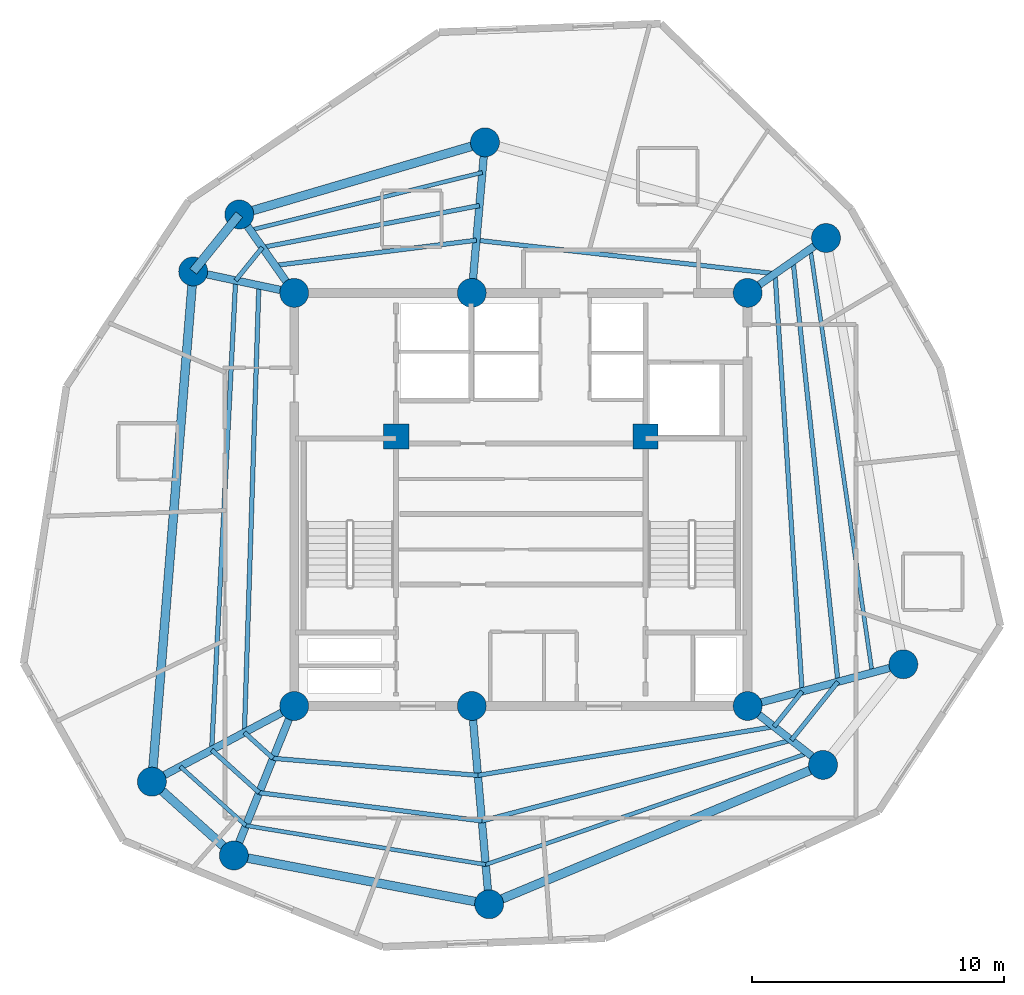
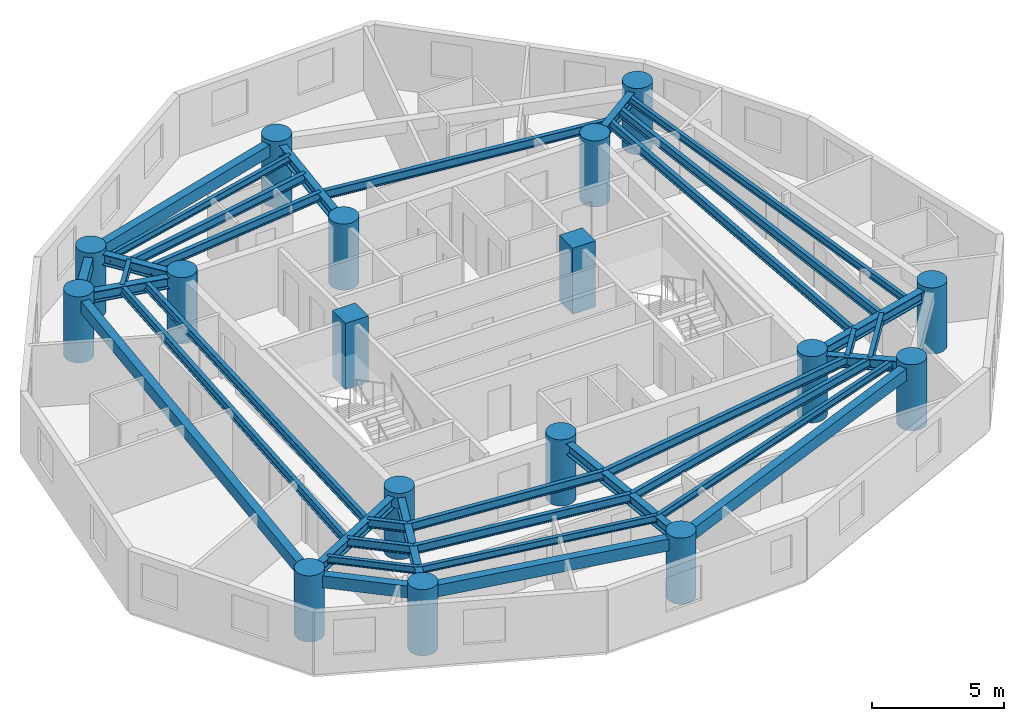
# One storey, part 1 of 7: 36 beams, 17 columns.
"""IFC4 building model written with IfcOpenShell, lengths in metres."""

from ifc_helpers import new_model, si_unit, direction, frame, origin, origin_with_axes, origin_2d, place, context, subcontext, project, spatial, rectangle, circle, i_section, extrude, source, transform, mapped, material, material_profile, profile_set, type_object, element, save


model = new_model("IFC4")

# Units and contexts
model_context = context("Model", 3, precision=1e-05, world=origin(), true_north=direction((0.0, 1.0)))
body_context = subcontext(model_context, "Body", "Model", "MODEL_VIEW")
ifc_project = project(units=[si_unit("LENGTHUNIT", "METRE"), si_unit("AREAUNIT", "SQUARE_METRE"), si_unit("VOLUMEUNIT", "CUBIC_METRE"), si_unit("PLANEANGLEUNIT", "RADIAN"), si_unit("MASSUNIT", "GRAM", prefix="KILO")], contexts=[model_context])

# Site, building, storey
site_placement = place(None, origin())
site = spatial("IfcSite", under=ifc_project, at=site_placement, CompositionType="ELEMENT")
building_placement = place(site_placement, origin())
building = spatial("IfcBuilding", under=site, at=building_placement, Name="Karkom Vertical University and Central Library", CompositionType="ELEMENT")
storey_placement = place(building_placement, frame((0.0, 0.0, 259.60009765625)))
storey = spatial("IfcBuildingStorey", under=building, at=storey_placement, Name="L77", CompositionType="ELEMENT", Elevation=259.60009765625)

# Columns
ifc_material_1 = material(Name="Concrete C50/60", Category="concrete")
ifc_material_profile_1 = material_profile(ifc_material_1, rectangle(XDim=1.0, YDim=1.0, at=origin_2d()), Name="RC-1000x1000")
ifc_profile_set_1 = profile_set([ifc_material_profile_1], Name="Concrete C50/60")
column_type_1 = type_object("IfcColumnType", Name="STR-COL-C-CC2", PredefinedType="COLUMN", material=ifc_profile_set_1)
shared_shape_1 = source(origin_with_axes(), body_context, "Body", "SweptSolid", [
    extrude(rectangle(XDim=1.0, YDim=1.0, at=origin_2d()), origin(), (0.0, 0.0, 1.0), 3.0498046875),
])
for number, where, z_axis, x_axis, name in (
    (1, (23.550048828125, 29.0, 0.0), (0.0, 0.0, 1.0), (1.0, 0.0, 0.0), "Level 77 Core Node Column CC-1"),
    (2, (33.449951171875, 29.0, 0.0), (0.0, 0.0, 1.0), (1.0, 0.0, 0.0), "Level 77 Core Node Column CC-2"),
):
    element("IfcColumn", number, at=place(storey_placement, frame(where, z_axis=z_axis, x_axis=x_axis)), inside=storey, type_object=column_type_1, Name=name, PredefinedType="COLUMN", context=body_context, shape_type="MappedRepresentation", body=[
        mapped(shared_shape_1, transform((0.0, 0.0, 0.0), scale=1.0)),
    ])
ifc_material_2 = material(Name="Concrete C45/55", Category="concrete")
ifc_material_profile_2 = material_profile(ifc_material_2, circle(Radius=0.574951171875, at=origin_2d()), Name="CFT-D1150")
ifc_profile_set_2 = profile_set([ifc_material_profile_2], Name="Concrete C45/55")
column_type_2 = type_object("IfcColumnType", Name="STR-COL-C-SC5", PredefinedType="COLUMN", material=ifc_profile_set_2)
shared_shape_2 = source(origin_with_axes(), body_context, "Body", "SweptSolid", [
    extrude(circle(Radius=0.574951171875, at=origin_2d()), origin(), (0.0, 0.0, 1.0), 3.0498046875),
])
for number, where, z_axis, x_axis, name in (
    (3, (19.5, 18.300048828125, 0.0), (0.0, 0.0, 1.0), (1.0, 0.0, 0.0), "Level 77 Spine Mega-Column SC-1"),
    (4, (26.550048828125, 18.300048828125, 0.0), (0.0, 0.0, 1.0), (1.0, 0.0, 0.0), "Level 77 Spine Mega-Column SC-2"),
    (5, (37.5, 18.300048828125, 0.0), (0.0, 0.0, 1.0), (1.0, 0.0, 0.0), "Level 77 Spine Mega-Column SC-3"),
    (6, (19.5, 34.699951171875, 0.0), (0.0, 0.0, 1.0), (1.0, 0.0, 0.0), "Level 77 Spine Mega-Column SC-4"),
    (7, (26.550048828125, 34.699951171875, 0.0), (0.0, 0.0, 1.0), (1.0, 0.0, 0.0), "Level 77 Spine Mega-Column SC-5"),
    (8, (37.5, 34.699951171875, 0.0), (0.0, 0.0, 1.0), (1.0, 0.0, 0.0), "Level 77 Spine Mega-Column SC-6"),
    (9, (43.681884765625, 19.9560546875, 0.0), (0.0, 0.0, 1.0), (1.0, 0.0, 0.0), "Level 77 Perimeter Mega-Column Z4-PC1"),
    (10, (40.613037109375, 36.8798828125, 0.0), (0.0, 0.0, 1.0), (1.0, 0.0, 0.0), "Level 77 Perimeter Mega-Column Z4-PC2"),
    (11, (27.072998046875, 40.677001953125, 0.0), (0.0, 0.0, 1.0), (1.0, 0.0, 0.0), "Level 77 Perimeter Mega-Column Z4-PC3"),
    (12, (17.320068359375, 37.81298828125, 0.0), (0.0, 0.0, 1.0), (1.0, 0.0, 0.0), "Level 77 Perimeter Mega-Column Z4-PC4"),
    (13, (15.489990234375, 35.552001953125, 0.0), (0.0, 0.0, 1.0), (1.0, 0.0, 0.0), "Level 77 Perimeter Mega-Column Z4-PC5"),
    (14, (13.84912109375, 15.294921875, 0.0), (0.0, 0.0, 1.0), (1.0, 0.0, 0.0), "Level 77 Perimeter Mega-Column Z4-PC6"),
    (15, (17.10302734375, 12.365966796875, 0.0), (0.0, 0.0, 1.0), (1.0, 0.0, 0.0), "Level 77 Perimeter Mega-Column Z4-PC7"),
    (16, (27.239013671875, 10.429931640625, 0.0), (0.0, 0.0, 1.0), (1.0, 0.0, 0.0), "Level 77 Perimeter Mega-Column Z4-PC8"),
    (17, (40.493896484375, 15.9599609375, 0.0), (0.0, 0.0, 1.0), (1.0, 0.0, 0.0), "Level 77 Perimeter Mega-Column Z4-PC9"),
):
    element("IfcColumn", number, at=place(storey_placement, frame(where, z_axis=z_axis, x_axis=x_axis)), inside=storey, type_object=column_type_2, Name=name, PredefinedType="COLUMN", context=body_context, shape_type="MappedRepresentation", body=[
        mapped(shared_shape_2, transform((0.0, 0.0, 0.0), scale=1.0)),
    ])

# Beams
ifc_material_3 = material(Name="Precast concrete C45/55", Category="concrete")
ifc_material_profile_3 = material_profile(ifc_material_3, rectangle(XDim=0.35009765625, YDim=0.550048828125, at=origin_2d()), Name="SPB-350x550")
ifc_profile_set_3 = profile_set([ifc_material_profile_3], Name="Precast concrete C45/55")
beam_type_1 = type_object("IfcBeamType", Name="STR-BM-SP-2", PredefinedType="SPANDREL", material=ifc_profile_set_3)
shared_shape_3 = source(origin_with_axes(), body_context, "Body", "SweptSolid", [
    extrude(rectangle(XDim=0.35009765625, YDim=0.550048828125, at=origin_2d()), origin(), (0.0, 0.0, 1.0), 10.164794921875),
])
beam_1_placement = place(storey_placement, frame((27.072998046875, 40.677001953125, 2.574951171875), z_axis=(-0.959485124536, -0.281759286971, 0.0), x_axis=(0.281759286971, -0.959485124536, 0.0)))
element("IfcBeam", 18, at=beam_1_placement, inside=storey, type_object=beam_type_1, Name="Level 77 Perimeter Spandrel Beam 03", PredefinedType="SPANDREL", context=body_context, shape_type="MappedRepresentation", body=[
    mapped(shared_shape_3, transform((0.0, 0.0, 0.0), scale=1.0)),
])
shared_shape_4 = source(origin_with_axes(), body_context, "Body", "SweptSolid", [
    extrude(rectangle(XDim=0.35009765625, YDim=0.550048828125, at=origin_2d()), origin(), (0.0, 0.0, 1.0), 2.908935546875),
])
beam_2_placement = place(storey_placement, frame((17.320068359375, 37.81298828125, 2.574951171875), z_axis=(-0.629147523747, -0.777285914811, 0.0), x_axis=(0.777285914811, -0.629147523747, 0.0)))
element("IfcBeam", 19, at=beam_2_placement, inside=storey, type_object=beam_type_1, Name="Level 77 Perimeter Spandrel Beam 04", PredefinedType="SPANDREL", context=body_context, shape_type="MappedRepresentation", body=[
    mapped(shared_shape_4, transform((0.0, 0.0, 0.0), scale=1.0)),
])
shared_shape_5 = source(origin_with_axes(), body_context, "Body", "SweptSolid", [
    extrude(rectangle(XDim=0.35009765625, YDim=0.550048828125, at=origin_2d()), origin(), (0.0, 0.0, 1.0), 20.323486328125),
])
beam_3_placement = place(storey_placement, frame((15.489990234375, 35.552001953125, 2.574951171875), z_axis=(-0.080737811681, -0.996735373991, 0.0), x_axis=(0.996735373991, -0.080737811681, 0.0)))
element("IfcBeam", 20, at=beam_3_placement, inside=storey, type_object=beam_type_1, Name="Level 77 Perimeter Spandrel Beam 05", PredefinedType="SPANDREL", context=body_context, shape_type="MappedRepresentation", body=[
    mapped(shared_shape_5, transform((0.0, 0.0, 0.0), scale=1.0)),
])
shared_shape_6 = source(origin_with_axes(), body_context, "Body", "SweptSolid", [
    extrude(rectangle(XDim=0.35009765625, YDim=0.550048828125, at=origin_2d()), origin(), (0.0, 0.0, 1.0), 4.3779296875),
])
beam_4_placement = place(storey_placement, frame((13.84912109375, 15.294921875, 2.574951171875), z_axis=(0.743244232405, -0.669020187287, 0.0), x_axis=(0.669020187287, 0.743244232405, 0.0)))
element("IfcBeam", 21, at=beam_4_placement, inside=storey, type_object=beam_type_1, Name="Level 77 Perimeter Spandrel Beam 06", PredefinedType="SPANDREL", context=body_context, shape_type="MappedRepresentation", body=[
    mapped(shared_shape_6, transform((0.0, 0.0, 0.0), scale=1.0)),
])
shared_shape_7 = source(origin_with_axes(), body_context, "Body", "SweptSolid", [
    extrude(rectangle(XDim=0.35009765625, YDim=0.550048828125, at=origin_2d()), origin(), (0.0, 0.0, 1.0), 10.3193359375),
])
beam_5_placement = place(storey_placement, frame((17.10302734375, 12.365966796875, 2.574951171875), z_axis=(0.982242767385, -0.187614354249, 0.0), x_axis=(0.187614354249, 0.982242767385, 0.0)))
element("IfcBeam", 22, at=beam_5_placement, inside=storey, type_object=beam_type_1, Name="Level 77 Perimeter Spandrel Beam 07", PredefinedType="SPANDREL", context=body_context, shape_type="MappedRepresentation", body=[
    mapped(shared_shape_7, transform((0.0, 0.0, 0.0), scale=1.0)),
])
shared_shape_8 = source(origin_with_axes(), body_context, "Body", "SweptSolid", [
    extrude(rectangle(XDim=0.35009765625, YDim=0.550048828125, at=origin_2d()), origin(), (0.0, 0.0, 1.0), 14.3623046875),
])
beam_6_placement = place(storey_placement, frame((27.239013671875, 10.429931640625, 2.574951171875), z_axis=(0.922899796194, 0.385040213725, 0.0), x_axis=(-0.385040213725, 0.922899796194, 0.0)))
element("IfcBeam", 23, at=beam_6_placement, inside=storey, type_object=beam_type_1, Name="Level 77 Perimeter Spandrel Beam 08", PredefinedType="SPANDREL", context=body_context, shape_type="MappedRepresentation", body=[
    mapped(shared_shape_8, transform((0.0, 0.0, 0.0), scale=1.0)),
])
ifc_material_4 = material(Name="Steel S355", Category="steel")
ifc_material_profile_4 = material_profile(ifc_material_4, i_section(OverallWidth=0.179931640625, OverallDepth=0.39990234375, WebThickness=0.008544921875, FlangeThickness=0.013427734375, FilletRadius=0.02099609375, at=origin_2d()), Name="IPE 400")
ifc_profile_set_4 = profile_set([ifc_material_profile_4], Name="Steel S355")
beam_type_2 = type_object("IfcBeamType", Name="STR-BM-SB-IPE400", PredefinedType="BEAM", material=ifc_profile_set_4)
shared_shape_9 = source(origin_with_axes(), body_context, "Body", "SweptSolid", [
    extrude(i_section(OverallWidth=0.179931640625, OverallDepth=0.39990234375, WebThickness=0.008544921875, FlangeThickness=0.013427734375, FilletRadius=0.02099609375, at=origin_2d()), origin(), (0.0, 0.0, 1.0), 16.617919921875),
])
beam_7_placement = place(storey_placement, frame((39.663818359375, 18.879638671875, 2.64990234375), z_axis=(-0.064641848008, 0.997908528617, 0.0), x_axis=(-0.997908528617, -0.064641848008, 0.0)))
element("IfcBeam", 24, at=beam_7_placement, inside=storey, type_object=beam_type_2, Name="Level 77 Secondary Composite Floor Beam 1.01", PredefinedType="BEAM", context=body_context, shape_type="MappedRepresentation", body=[
    mapped(shared_shape_9, transform((0.0, 0.0, 0.0), scale=1.0)),
])
shared_shape_10 = source(origin_with_axes(), body_context, "Body", "SweptSolid", [
    extrude(i_section(OverallWidth=0.179931640625, OverallDepth=0.39990234375, WebThickness=0.008544921875, FlangeThickness=0.013427734375, FilletRadius=0.02099609375, at=origin_2d()), origin(), (0.0, 0.0, 1.0), 11.9306640625),
])
beam_8_placement = place(storey_placement, frame((38.589599609375, 35.462890625, 2.64990234375), z_axis=(-0.993775454886, 0.11140172919, 0.0), x_axis=(-0.11140172919, -0.993775454886, 0.0)))
element("IfcBeam", 25, at=beam_8_placement, inside=storey, type_object=beam_type_2, Name="Level 77 Secondary Composite Floor Beam 1.02", PredefinedType="BEAM", context=body_context, shape_type="MappedRepresentation", body=[
    mapped(shared_shape_10, transform((0.0, 0.0, 0.0), scale=1.0)),
])
shared_shape_11 = source(origin_with_axes(), body_context, "Body", "SweptSolid", [
    extrude(i_section(OverallWidth=0.179931640625, OverallDepth=0.39990234375, WebThickness=0.008544921875, FlangeThickness=0.013427734375, FilletRadius=0.02099609375, at=origin_2d()), origin(), (0.0, 0.0, 1.0), 8.05859375),
])
beam_9_placement = place(storey_placement, frame((26.733154296875, 36.7919921875, 2.64990234375), z_axis=(-0.99223306826, -0.124392677646, 0.0), x_axis=(0.124392677646, -0.99223306826, 0.0)))
element("IfcBeam", 26, at=beam_9_placement, inside=storey, type_object=beam_type_2, Name="Level 77 Secondary Composite Floor Beam 1.03", PredefinedType="BEAM", context=body_context, shape_type="MappedRepresentation", body=[
    mapped(shared_shape_11, transform((0.0, 0.0, 0.0), scale=1.0)),
])
shared_shape_12 = source(origin_with_axes(), body_context, "Body", "SweptSolid", [
    extrude(i_section(OverallWidth=0.179931640625, OverallDepth=0.39990234375, WebThickness=0.008544921875, FlangeThickness=0.013427734375, FilletRadius=0.02099609375, at=origin_2d()), origin(), (0.0, 0.0, 1.0), 17.75927734375),
])
beam_10_placement = place(storey_placement, frame((18.096435546875, 34.998291015625, 2.64990234375), z_axis=(-0.032333437334, -0.999477137723, 0.0), x_axis=(0.999477137723, -0.032333437334, 0.0)))
element("IfcBeam", 27, at=beam_10_placement, inside=storey, type_object=beam_type_2, Name="Level 77 Secondary Composite Floor Beam 1.05", PredefinedType="BEAM", context=body_context, shape_type="MappedRepresentation", body=[
    mapped(shared_shape_12, transform((0.0, 0.0, 0.0), scale=1.0)),
])
shared_shape_13 = source(origin_with_axes(), body_context, "Body", "SweptSolid", [
    extrude(i_section(OverallWidth=0.179931640625, OverallDepth=0.39990234375, WebThickness=0.008544921875, FlangeThickness=0.013427734375, FilletRadius=0.02099609375, at=origin_2d()), origin(), (0.0, 0.0, 1.0), 1.5322265625),
])
beam_11_placement = place(storey_placement, frame((17.522216796875, 17.248291015625, 2.64990234375), z_axis=(0.743183211059, -0.669087972392, 0.0), x_axis=(0.669087972392, 0.743183211059, 0.0)))
element("IfcBeam", 28, at=beam_11_placement, inside=storey, type_object=beam_type_2, Name="Level 77 Secondary Composite Floor Beam 1.06", PredefinedType="BEAM", context=body_context, shape_type="MappedRepresentation", body=[
    mapped(shared_shape_13, transform((0.0, 0.0, 0.0), scale=1.0)),
])
shared_shape_14 = source(origin_with_axes(), body_context, "Body", "SweptSolid", [
    extrude(i_section(OverallWidth=0.179931640625, OverallDepth=0.39990234375, WebThickness=0.008544921875, FlangeThickness=0.013427734375, FilletRadius=0.02099609375, at=origin_2d()), origin(), (0.0, 0.0, 1.0), 8.15869140625),
])
beam_12_placement = place(storey_placement, frame((18.660888671875, 16.22314453125, 2.64990234375), z_axis=(0.996543694183, -0.083070244882, 0.0), x_axis=(0.083070244882, 0.996543694183, 0.0)))
element("IfcBeam", 29, at=beam_12_placement, inside=storey, type_object=beam_type_2, Name="Level 77 Secondary Composite Floor Beam 1.07", PredefinedType="BEAM", context=body_context, shape_type="MappedRepresentation", body=[
    mapped(shared_shape_14, transform((0.0, 0.0, 0.0), scale=1.0)),
])
shared_shape_15 = source(origin_with_axes(), body_context, "Body", "SweptSolid", [
    extrude(i_section(OverallWidth=0.179931640625, OverallDepth=0.39990234375, WebThickness=0.008544921875, FlangeThickness=0.013427734375, FilletRadius=0.02099609375, at=origin_2d()), origin(), (0.0, 0.0, 1.0), 11.914794921875),
])
beam_13_placement = place(storey_placement, frame((26.791259765625, 15.54541015625, 2.64990234375), z_axis=(0.986717073469, 0.162448197663, 0.0), x_axis=(-0.162448197663, 0.986717073469, 0.0)))
element("IfcBeam", 30, at=beam_13_placement, inside=storey, type_object=beam_type_2, Name="Level 77 Secondary Composite Floor Beam 1.08", PredefinedType="BEAM", context=body_context, shape_type="MappedRepresentation", body=[
    mapped(shared_shape_15, transform((0.0, 0.0, 0.0), scale=1.0)),
])
shared_shape_16 = source(origin_with_axes(), body_context, "Body", "SweptSolid", [
    extrude(i_section(OverallWidth=0.179931640625, OverallDepth=0.39990234375, WebThickness=0.008544921875, FlangeThickness=0.013427734375, FilletRadius=0.02099609375, at=origin_2d()), origin(), (0.0, 0.0, 1.0), 1.789306640625),
])
beam_14_placement = place(storey_placement, frame((38.5478515625, 17.48095703125, 2.64990234375), z_axis=(0.623679519349, 0.781680150154, 0.0), x_axis=(-0.781680150154, 0.623679519349, 0.0)))
element("IfcBeam", 31, at=beam_14_placement, inside=storey, type_object=beam_type_2, Name="Level 77 Secondary Composite Floor Beam 1.09", PredefinedType="BEAM", context=body_context, shape_type="MappedRepresentation", body=[
    mapped(shared_shape_16, transform((0.0, 0.0, 0.0), scale=1.0)),
])
shared_shape_17 = source(origin_with_axes(), body_context, "Body", "SweptSolid", [
    extrude(i_section(OverallWidth=0.179931640625, OverallDepth=0.39990234375, WebThickness=0.008544921875, FlangeThickness=0.013427734375, FilletRadius=0.02099609375, at=origin_2d()), origin(), (0.0, 0.0, 1.0), 16.79833984375),
])
beam_15_placement = place(storey_placement, frame((41.085693359375, 19.260498046875, 2.64990234375), z_axis=(-0.105978377704, 0.994368434464, 0.0), x_axis=(-0.994368434464, -0.105978377704, 0.0)))
element("IfcBeam", 32, at=beam_15_placement, inside=storey, type_object=beam_type_2, Name="Level 77 Secondary Composite Floor Beam 2.01", PredefinedType="BEAM", context=body_context, shape_type="MappedRepresentation", body=[
    mapped(shared_shape_17, transform((0.0, 0.0, 0.0), scale=1.0)),
])
shared_shape_18 = source(origin_with_axes(), body_context, "Body", "SweptSolid", [
    extrude(i_section(OverallWidth=0.179931640625, OverallDepth=0.39990234375, WebThickness=0.008544921875, FlangeThickness=0.013427734375, FilletRadius=0.02099609375, at=origin_2d()), origin(), (0.0, 0.0, 1.0), 8.7763671875),
])
beam_16_placement = place(storey_placement, frame((26.853271484375, 38.166748046875, 2.64990234375), z_axis=(-0.981924209256, -0.189274528862, 0.0), x_axis=(0.189274528862, -0.981924209256, 0.0)))
element("IfcBeam", 33, at=beam_16_placement, inside=storey, type_object=beam_type_2, Name="Level 77 Secondary Composite Floor Beam 2.03", PredefinedType="BEAM", context=body_context, shape_type="MappedRepresentation", body=[
    mapped(shared_shape_18, transform((0.0, 0.0, 0.0), scale=1.0)),
])
shared_shape_19 = source(origin_with_axes(), body_context, "Body", "SweptSolid", [
    extrude(i_section(OverallWidth=0.179931640625, OverallDepth=0.39990234375, WebThickness=0.008544921875, FlangeThickness=0.013427734375, FilletRadius=0.02099609375, at=origin_2d()), origin(), (0.0, 0.0, 1.0), 1.68701171875),
])
beam_17_placement = place(storey_placement, frame((18.235595703125, 36.505615234375, 2.64990234375), z_axis=(-0.629044191861, -0.777369541908, 0.0), x_axis=(0.777369541908, -0.629044191861, 0.0)))
element("IfcBeam", 34, at=beam_17_placement, inside=storey, type_object=beam_type_2, Name="Level 77 Secondary Composite Floor Beam 2.04", PredefinedType="BEAM", context=body_context, shape_type="MappedRepresentation", body=[
    mapped(shared_shape_19, transform((0.0, 0.0, 0.0), scale=1.0)),
])
shared_shape_20 = source(origin_with_axes(), body_context, "Body", "SweptSolid", [
    extrude(i_section(OverallWidth=0.179931640625, OverallDepth=0.39990234375, WebThickness=0.008544921875, FlangeThickness=0.013427734375, FilletRadius=0.02099609375, at=origin_2d()), origin(), (0.0, 0.0, 1.0), 18.661376953125),
])
beam_18_placement = place(storey_placement, frame((17.17431640625, 35.194091796875, 2.64990234375), z_axis=(-0.051009656211, -0.998698160093, 0.0), x_axis=(0.998698160093, -0.051009656211, 0.0)))
element("IfcBeam", 35, at=beam_18_placement, inside=storey, type_object=beam_type_2, Name="Level 77 Secondary Composite Floor Beam 2.05", PredefinedType="BEAM", context=body_context, shape_type="MappedRepresentation", body=[
    mapped(shared_shape_20, transform((0.0, 0.0, 0.0), scale=1.0)),
])
shared_shape_21 = source(origin_with_axes(), body_context, "Body", "SweptSolid", [
    extrude(i_section(OverallWidth=0.179931640625, OverallDepth=0.39990234375, WebThickness=0.008544921875, FlangeThickness=0.013427734375, FilletRadius=0.02099609375, at=origin_2d()), origin(), (0.0, 0.0, 1.0), 2.5390625),
])
beam_19_placement = place(storey_placement, frame((16.222412109375, 16.55712890625, 2.64990234375), z_axis=(0.743246334517, -0.669017851949, 0.0), x_axis=(0.669017851949, 0.743246334517, 0.0)))
element("IfcBeam", 36, at=beam_19_placement, inside=storey, type_object=beam_type_2, Name="Level 77 Secondary Composite Floor Beam 2.06", PredefinedType="BEAM", context=body_context, shape_type="MappedRepresentation", body=[
    mapped(shared_shape_21, transform((0.0, 0.0, 0.0), scale=1.0)),
])
shared_shape_22 = source(origin_with_axes(), body_context, "Body", "SweptSolid", [
    extrude(i_section(OverallWidth=0.179931640625, OverallDepth=0.39990234375, WebThickness=0.008544921875, FlangeThickness=0.013427734375, FilletRadius=0.02099609375, at=origin_2d()), origin(), (0.0, 0.0, 1.0), 8.9111328125),
])
beam_20_placement = place(storey_placement, frame((18.109619140625, 14.8583984375, 2.64990234375), z_axis=(0.992026771403, -0.126027317751, 0.0), x_axis=(0.126027317751, 0.992026771403, 0.0)))
element("IfcBeam", 37, at=beam_20_placement, inside=storey, type_object=beam_type_2, Name="Level 77 Secondary Composite Floor Beam 2.07", PredefinedType="BEAM", context=body_context, shape_type="MappedRepresentation", body=[
    mapped(shared_shape_22, transform((0.0, 0.0, 0.0), scale=1.0)),
])
shared_shape_23 = source(origin_with_axes(), body_context, "Body", "SweptSolid", [
    extrude(i_section(OverallWidth=0.179931640625, OverallDepth=0.39990234375, WebThickness=0.008544921875, FlangeThickness=0.013427734375, FilletRadius=0.02099609375, at=origin_2d()), origin(), (0.0, 0.0, 1.0), 12.69873046875),
])
beam_21_placement = place(storey_placement, frame((26.94970703125, 13.7353515625, 2.64990234375), z_axis=(0.967573974729, 0.252587813301, 0.0), x_axis=(-0.252587813301, 0.967573974729, 0.0)))
element("IfcBeam", 38, at=beam_21_placement, inside=storey, type_object=beam_type_2, Name="Level 77 Secondary Composite Floor Beam 2.08", PredefinedType="BEAM", context=body_context, shape_type="MappedRepresentation", body=[
    mapped(shared_shape_23, transform((0.0, 0.0, 0.0), scale=1.0)),
])
shared_shape_24 = source(origin_with_axes(), body_context, "Body", "SweptSolid", [
    extrude(i_section(OverallWidth=0.179931640625, OverallDepth=0.39990234375, WebThickness=0.008544921875, FlangeThickness=0.013427734375, FilletRadius=0.02099609375, at=origin_2d()), origin(), (0.0, 0.0, 1.0), 2.96484375),
])
beam_22_placement = place(storey_placement, frame((39.236572265625, 16.94287109375, 2.64990234375), z_axis=(0.623670236397, 0.781687556657, 0.0), x_axis=(-0.781687556657, 0.623670236397, 0.0)))
element("IfcBeam", 39, at=beam_22_placement, inside=storey, type_object=beam_type_2, Name="Level 77 Secondary Composite Floor Beam 2.09", PredefinedType="BEAM", context=body_context, shape_type="MappedRepresentation", body=[
    mapped(shared_shape_24, transform((0.0, 0.0, 0.0), scale=1.0)),
])
ifc_material_profile_5 = material_profile(ifc_material_4, i_section(OverallWidth=0.159912109375, OverallDepth=0.330078125, WebThickness=0.007568359375, FlangeThickness=0.011474609375, FilletRadius=0.01806640625, at=origin_2d()), Name="IPE 330")
ifc_profile_set_5 = profile_set([ifc_material_profile_5], Name="Steel S355")
beam_type_3 = type_object("IfcBeamType", Name="STR-BM-SB-IPE330", PredefinedType="BEAM", material=ifc_profile_set_5)
shared_shape_25 = source(origin_with_axes(), body_context, "Body", "SweptSolid", [
    extrude(i_section(OverallWidth=0.159912109375, OverallDepth=0.330078125, WebThickness=0.007568359375, FlangeThickness=0.011474609375, FilletRadius=0.01806640625, at=origin_2d()), origin(), (0.0, 0.0, 1.0), 16.99755859375),
])
beam_23_placement = place(storey_placement, frame((42.445556640625, 19.624755859375, 2.684814453125), z_axis=(-0.144436985275, 0.98951400055, 0.0), x_axis=(-0.98951400055, -0.144436985275, 0.0)))
element("IfcBeam", 40, at=beam_23_placement, inside=storey, type_object=beam_type_3, Name="Level 77 Secondary Composite Floor Beam 3.01", PredefinedType="BEAM", context=body_context, shape_type="MappedRepresentation", body=[
    mapped(shared_shape_25, transform((0.0, 0.0, 0.0), scale=1.0)),
])
shared_shape_26 = source(origin_with_axes(), body_context, "Body", "SweptSolid", [
    extrude(i_section(OverallWidth=0.159912109375, OverallDepth=0.330078125, WebThickness=0.007568359375, FlangeThickness=0.011474609375, FilletRadius=0.01806640625, at=origin_2d()), origin(), (0.0, 0.0, 1.0), 9.4931640625),
])
beam_24_placement = place(storey_placement, frame((26.968505859375, 39.481689453125, 2.684814453125), z_axis=(-0.970435275293, -0.241361505767, 0.0), x_axis=(0.241361505767, -0.970435275293, 0.0)))
element("IfcBeam", 41, at=beam_24_placement, inside=storey, type_object=beam_type_3, Name="Level 77 Secondary Composite Floor Beam 3.03", PredefinedType="BEAM", context=body_context, shape_type="MappedRepresentation", body=[
    mapped(shared_shape_26, transform((0.0, 0.0, 0.0), scale=1.0)),
])
shared_shape_27 = source(origin_with_axes(), body_context, "Body", "SweptSolid", [
    extrude(i_section(OverallWidth=0.159912109375, OverallDepth=0.330078125, WebThickness=0.007568359375, FlangeThickness=0.011474609375, FilletRadius=0.01806640625, at=origin_2d()), origin(), (0.0, 0.0, 1.0), 3.50244140625),
])
beam_25_placement = place(storey_placement, frame((14.979248046875, 15.89599609375, 2.684814453125), z_axis=(0.743249087562, -0.669014793437, 0.0), x_axis=(0.669014793437, 0.743249087562, 0.0)))
element("IfcBeam", 42, at=beam_25_placement, inside=storey, type_object=beam_type_3, Name="Level 77 Secondary Composite Floor Beam 3.06", PredefinedType="BEAM", context=body_context, shape_type="MappedRepresentation", body=[
    mapped(shared_shape_27, transform((0.0, 0.0, 0.0), scale=1.0)),
])
shared_shape_28 = source(origin_with_axes(), body_context, "Body", "SweptSolid", [
    extrude(i_section(OverallWidth=0.159912109375, OverallDepth=0.330078125, WebThickness=0.007568359375, FlangeThickness=0.011474609375, FilletRadius=0.01806640625, at=origin_2d()), origin(), (0.0, 0.0, 1.0), 9.64404296875),
])
beam_26_placement = place(storey_placement, frame((17.58251953125, 13.552734375, 2.684814453125), z_axis=(0.987019497924, -0.160600469231, 0.0), x_axis=(0.160600469231, 0.987019497924, 0.0)))
element("IfcBeam", 43, at=beam_26_placement, inside=storey, type_object=beam_type_3, Name="Level 77 Secondary Composite Floor Beam 3.07", PredefinedType="BEAM", context=body_context, shape_type="MappedRepresentation", body=[
    mapped(shared_shape_28, transform((0.0, 0.0, 0.0), scale=1.0)),
])
shared_shape_29 = source(origin_with_axes(), body_context, "Body", "SweptSolid", [
    extrude(i_section(OverallWidth=0.159912109375, OverallDepth=0.330078125, WebThickness=0.007568359375, FlangeThickness=0.011474609375, FilletRadius=0.01806640625, at=origin_2d()), origin(), (0.0, 0.0, 1.0), 13.537353515625),
])
beam_27_placement = place(storey_placement, frame((27.101318359375, 12.00390625, 2.684814453125), z_axis=(0.945091088216, 0.32680703018, 0.0), x_axis=(-0.32680703018, 0.945091088216, 0.0)))
element("IfcBeam", 44, at=beam_27_placement, inside=storey, type_object=beam_type_3, Name="Level 77 Secondary Composite Floor Beam 3.08", PredefinedType="BEAM", context=body_context, shape_type="MappedRepresentation", body=[
    mapped(shared_shape_29, transform((0.0, 0.0, 0.0), scale=1.0)),
])
ifc_material_profile_6 = material_profile(ifc_material_4, i_section(OverallWidth=0.300048828125, OverallDepth=0.5, WebThickness=0.014404296875, FlangeThickness=0.028076171875, FilletRadius=0.027099609375, at=origin_2d()), Name="HE 500 B")
ifc_profile_set_6 = profile_set([ifc_material_profile_6], Name="Steel S355")
beam_type_4 = type_object("IfcBeamType", Name="STR-BM-SB-HE500", PredefinedType="USERDEFINED", material=ifc_profile_set_6)
shared_shape_30 = source(origin_with_axes(), body_context, "Body", "SweptSolid", [
    extrude(i_section(OverallWidth=0.300048828125, OverallDepth=0.5, WebThickness=0.014404296875, FlangeThickness=0.028076171875, FilletRadius=0.027099609375, at=origin_2d()), origin(), (0.0, 0.0, 1.0), 6.39990234375),
])
for number, where, z_axis, x_axis, name in (
    (45, (37.5, 18.300048828125, 2.599853515625), (0.965942432948, 0.258757060254, 0.0), (-0.258757060254, 0.965942432948, 0.0), "Level 77 Radial Frame Girder 01"),
    (46, (19.5, 18.300048828125, 2.599853515625), (-0.374532429749, -0.927213815183, 0.0), (0.927213815183, -0.374532429749, 0.0), "Level 77 Radial Frame Girder 07"),
):
    element("IfcBeam", number, at=place(storey_placement, frame(where, z_axis=z_axis, x_axis=x_axis)), inside=storey, type_object=beam_type_4, Name=name, ObjectType="GIRDER", PredefinedType="USERDEFINED", context=body_context, shape_type="MappedRepresentation", body=[
        mapped(shared_shape_30, transform((0.0, 0.0, 0.0), scale=1.0)),
    ])
shared_shape_31 = source(origin_with_axes(), body_context, "Body", "SweptSolid", [
    extrude(i_section(OverallWidth=0.300048828125, OverallDepth=0.5, WebThickness=0.014404296875, FlangeThickness=0.028076171875, FilletRadius=0.027099609375, at=origin_2d()), origin(), (0.0, 0.0, 1.0), 3.80029296875),
])
for number, where, z_axis, x_axis, name in (
    (47, (37.5, 34.699951171875, 2.599853515625), (0.819132313625, 0.573604613627, 0.0), (-0.573604613627, 0.819132313625, 0.0), "Level 77 Radial Frame Girder 02"),
    (48, (19.5, 34.699951171875, 2.599853515625), (-0.573604613627, 0.819132313625, 0.0), (-0.819132313625, -0.573604613627, 0.0), "Level 77 Radial Frame Girder 04"),
):
    element("IfcBeam", number, at=place(storey_placement, frame(where, z_axis=z_axis, x_axis=x_axis)), inside=storey, type_object=beam_type_4, Name=name, ObjectType="GIRDER", PredefinedType="USERDEFINED", context=body_context, shape_type="MappedRepresentation", body=[
        mapped(shared_shape_31, transform((0.0, 0.0, 0.0), scale=1.0)),
    ])
shared_shape_32 = source(origin_with_axes(), body_context, "Body", "SweptSolid", [
    extrude(i_section(OverallWidth=0.300048828125, OverallDepth=0.5, WebThickness=0.014404296875, FlangeThickness=0.028076171875, FilletRadius=0.027099609375, at=origin_2d()), origin(), (0.0, 0.0, 1.0), 6.0),
])
beam_28_placement = place(storey_placement, frame((26.550048828125, 34.699951171875, 2.599853515625), z_axis=(0.087159883478, 0.996194335816, 0.0), x_axis=(-0.996194335816, 0.087159883478, 0.0)))
element("IfcBeam", 49, at=beam_28_placement, inside=storey, type_object=beam_type_4, Name="Level 77 Radial Frame Girder 03", ObjectType="GIRDER", PredefinedType="USERDEFINED", context=body_context, shape_type="MappedRepresentation", body=[
    mapped(shared_shape_32, transform((0.0, 0.0, 0.0), scale=1.0)),
])
shared_shape_33 = source(origin_with_axes(), body_context, "Body", "SweptSolid", [
    extrude(i_section(OverallWidth=0.300048828125, OverallDepth=0.5, WebThickness=0.014404296875, FlangeThickness=0.028076171875, FilletRadius=0.027099609375, at=origin_2d()), origin(), (0.0, 0.0, 1.0), 4.099609375),
])
beam_29_placement = place(storey_placement, frame((19.5, 34.699951171875, 2.599853515625), z_axis=(-0.978162634602, 0.207840949453, 0.0), x_axis=(-0.207840949453, -0.978162634602, 0.0)))
element("IfcBeam", 50, at=beam_29_placement, inside=storey, type_object=beam_type_4, Name="Level 77 Radial Frame Girder 05", ObjectType="GIRDER", PredefinedType="USERDEFINED", context=body_context, shape_type="MappedRepresentation", body=[
    mapped(shared_shape_33, transform((0.0, 0.0, 0.0), scale=1.0)),
])
shared_shape_34 = source(origin_with_axes(), body_context, "Body", "SweptSolid", [
    extrude(i_section(OverallWidth=0.300048828125, OverallDepth=0.5, WebThickness=0.014404296875, FlangeThickness=0.028076171875, FilletRadius=0.027099609375, at=origin_2d()), origin(), (0.0, 0.0, 1.0), 6.400146484375),
])
beam_30_placement = place(storey_placement, frame((19.5, 18.300048828125, 2.599853515625), z_axis=(-0.882915120857, -0.469532628645, 0.0), x_axis=(0.469532628645, -0.882915120857, 0.0)))
element("IfcBeam", 51, at=beam_30_placement, inside=storey, type_object=beam_type_4, Name="Level 77 Radial Frame Girder 06", ObjectType="GIRDER", PredefinedType="USERDEFINED", context=body_context, shape_type="MappedRepresentation", body=[
    mapped(shared_shape_34, transform((0.0, 0.0, 0.0), scale=1.0)),
])
shared_shape_35 = source(origin_with_axes(), body_context, "Body", "SweptSolid", [
    extrude(i_section(OverallWidth=0.300048828125, OverallDepth=0.5, WebThickness=0.014404296875, FlangeThickness=0.028076171875, FilletRadius=0.027099609375, at=origin_2d()), origin(), (0.0, 0.0, 1.0), 7.900146484375),
])
beam_31_placement = place(storey_placement, frame((26.550048828125, 18.300048828125, 2.599853515625), z_axis=(0.087208352312, -0.996190093951, 0.0), x_axis=(0.996190093951, 0.087208352312, 0.0)))
element("IfcBeam", 52, at=beam_31_placement, inside=storey, type_object=beam_type_4, Name="Level 77 Radial Frame Girder 08", ObjectType="GIRDER", PredefinedType="USERDEFINED", context=body_context, shape_type="MappedRepresentation", body=[
    mapped(shared_shape_35, transform((0.0, 0.0, 0.0), scale=1.0)),
])
shared_shape_36 = source(origin_with_axes(), body_context, "Body", "SweptSolid", [
    extrude(i_section(OverallWidth=0.300048828125, OverallDepth=0.5, WebThickness=0.014404296875, FlangeThickness=0.028076171875, FilletRadius=0.027099609375, at=origin_2d()), origin(), (0.0, 0.0, 1.0), 3.7998046875),
])
beam_32_placement = place(storey_placement, frame((37.5, 18.300048828125, 2.599853515625), z_axis=(0.787883114707, -0.61582481077, 0.0), x_axis=(0.61582481077, 0.787883114707, 0.0)))
element("IfcBeam", 53, at=beam_32_placement, inside=storey, type_object=beam_type_4, Name="Level 77 Radial Frame Girder 09", ObjectType="GIRDER", PredefinedType="USERDEFINED", context=body_context, shape_type="MappedRepresentation", body=[
    mapped(shared_shape_36, transform((0.0, 0.0, 0.0), scale=1.0)),
])

save(model, "model.ifc")
